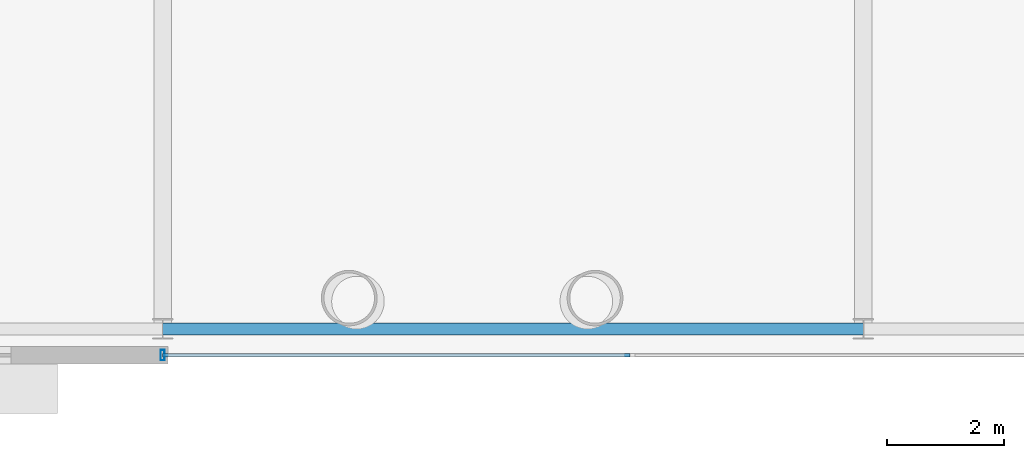
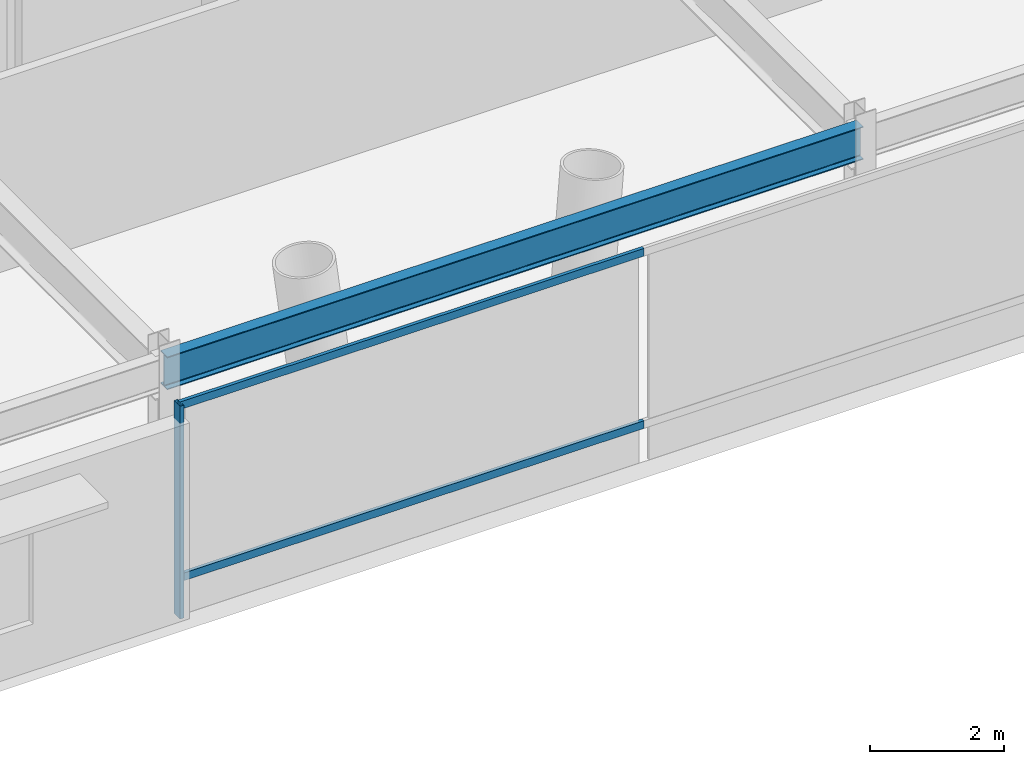
# One storey, part 6 of 26: 3 members, 1 beam, 1 element without a shape of its own.
"""IFC4 building model written with IfcOpenShell, lengths in metres."""

from ifc_helpers import new_model, si_unit, direction, frame, origin, origin_2d, place, context, subcontext, project, spatial, hollow_rectangle, i_section, extrude, material, layer, layer_set, material_profile, profile_set, type_object, element, aggregate, save


model = new_model("IFC4")

# Units and contexts
model_context = context("Model", 3, precision=1e-05, world=origin(), true_north=direction((0.0, 1.0)))
body_context = subcontext(model_context, "Body", "Model", "MODEL_VIEW")
ifc_project = project(units=[si_unit("LENGTHUNIT", "METRE"), si_unit("AREAUNIT", "SQUARE_METRE"), si_unit("VOLUMEUNIT", "CUBIC_METRE"), si_unit("PLANEANGLEUNIT", "RADIAN"), si_unit("MASSUNIT", "GRAM", prefix="KILO")], contexts=[model_context])

# Site, building, storey
site_placement = place(None, origin())
site = spatial("IfcSite", under=ifc_project, at=site_placement, CompositionType="ELEMENT")
building_placement = place(site_placement, origin())
building = spatial("IfcBuilding", under=site, at=building_placement, Name="Veldorina Hangang Commons", CompositionType="ELEMENT")
storey_placement = place(building_placement, frame((0.0, 0.0, 10.0)))
storey = spatial("IfcBuildingStorey", under=building, at=storey_placement, Name="L02", CompositionType="ELEMENT", Elevation=10.0)

# Beam
ifc_material_1 = material(Name="Steel SM420-TMC", Category="steel")
ifc_material_profile_1 = material_profile(ifc_material_1, i_section(OverallWidth=0.199951171875, OverallDepth=0.60009765625, WebThickness=0.010986328125, FlangeThickness=0.01708984375, FilletRadius=0.01806640625, at=origin_2d()), Name="H-600x200x11x17")
ifc_profile_set_1 = profile_set([ifc_material_profile_1], Name="Steel SM420-TMC")
beam_type = type_object("IfcBeamType", Name="BM-SPN600", PredefinedType="SPANDREL", material=ifc_profile_set_1)
beam_placement = place(storey_placement, frame((20.0, 3.449951171875, 4.199951171875), z_axis=(1.0, 0.0, 0.0), x_axis=(0.0, 1.0, 0.0)))
element("IfcBeam", 1, at=beam_placement, inside=storey, type_object=beam_type, Name="L02 south spandrel beam 2", PredefinedType="SPANDREL", context=body_context, shape_type="SweptSolid", body=[
    extrude(i_section(OverallWidth=0.199951171875, OverallDepth=0.60009765625, WebThickness=0.010986328125, FlangeThickness=0.01708984375, FilletRadius=0.01806640625, at=origin_2d()), origin(), (0.0, 0.0, 1.0), 12.0),
])

# Curtain wall, members
ifc_material_2 = material(Name="Glass Low-E Triple IGU", Category="glass")
ifc_layer = layer(ifc_material_2, 0.179931640625)
ifc_layer_set = layer_set([ifc_layer], Name="Glass Low-E Triple IGU")
curtain_wall_type = type_object("IfcCurtainWallType", Name="CW-SYS-POD", PredefinedType="NOTDEFINED", material=ifc_layer_set)
curtain_wall_placement = place(storey_placement, origin())
curtain_wall = element("IfcCurtainWall", 2, at=curtain_wall_placement, inside=storey, type_object=curtain_wall_type, Name="L02 unitised curtain wall CW-L02-S-CTR", PredefinedType="NOTDEFINED")
ifc_material_3 = material(Name="Aluminium Anodized AA6063-T6", Category="aluminium")
ifc_material_profile_2 = material_profile(ifc_material_3, hollow_rectangle(XDim=0.070068359375, YDim=0.179931640625, WallThickness=0.00390625, at=origin_2d()), Name="ALU-RHS-180x70x4")
ifc_profile_set_2 = profile_set([ifc_material_profile_2], Name="Aluminium Anodized AA6063-T6")
member_type_1 = type_object("IfcMemberType", Name="CW-MUL-180", PredefinedType="MULLION", material=ifc_profile_set_2)
member_1_placement = place(storey_placement, frame((20.0, 3.0, 0.0), z_axis=(0.0, 0.0, 1.0), x_axis=(1.0, 0.0, 0.0)))
member_1 = element("IfcMember", 3, at=member_1_placement, type_object=member_type_1, Name="CW-L02-S-CTR vertical mullion 1", PredefinedType="MULLION", context=body_context, shape_type="SweptSolid", body=[
    extrude(hollow_rectangle(XDim=0.070068359375, YDim=0.179931640625, WallThickness=0.00390625, at=origin_2d()), origin(), (0.0, 0.0, 1.0), 3.8798828125),
])
ifc_material_profile_3 = material_profile(ifc_material_3, hollow_rectangle(XDim=0.06005859375, YDim=0.139892578125, WallThickness=0.00341796875, at=origin_2d()), Name="ALU-RHS-140x60x3.5")
ifc_profile_set_3 = profile_set([ifc_material_profile_3], Name="Aluminium Anodized AA6063-T6")
member_type_2 = type_object("IfcMemberType", Name="CW-TRN-140", PredefinedType="USERDEFINED", material=ifc_profile_set_3)
member_2_placement = place(storey_placement, frame((20.0, 3.0, 0.699951171875), z_axis=(1.0, 0.0, 0.0), x_axis=(0.0, 1.0, 0.0)))
member_2 = element("IfcMember", 4, at=member_2_placement, type_object=member_type_2, Name="CW-L02-S-CTR facet 1 transom 1", ObjectType="TRANSOM", PredefinedType="USERDEFINED", context=body_context, shape_type="SweptSolid", body=[
    extrude(hollow_rectangle(XDim=0.06005859375, YDim=0.139892578125, WallThickness=0.00341796875, at=origin_2d()), origin(), (0.0, 0.0, 1.0), 8.0),
])
member_3_placement = place(storey_placement, frame((20.0, 3.0, 3.840087890625), z_axis=(1.0, 0.0, 0.0), x_axis=(0.0, 1.0, 0.0)))
member_3 = element("IfcMember", 5, at=member_3_placement, type_object=member_type_2, Name="CW-L02-S-CTR facet 1 transom 2", ObjectType="TRANSOM", PredefinedType="USERDEFINED", context=body_context, shape_type="SweptSolid", body=[
    extrude(hollow_rectangle(XDim=0.06005859375, YDim=0.139892578125, WallThickness=0.00341796875, at=origin_2d()), origin(), (0.0, 0.0, 1.0), 8.0),
])
aggregate(curtain_wall, [member_1, member_2, member_3])

save(model, "model.ifc")
